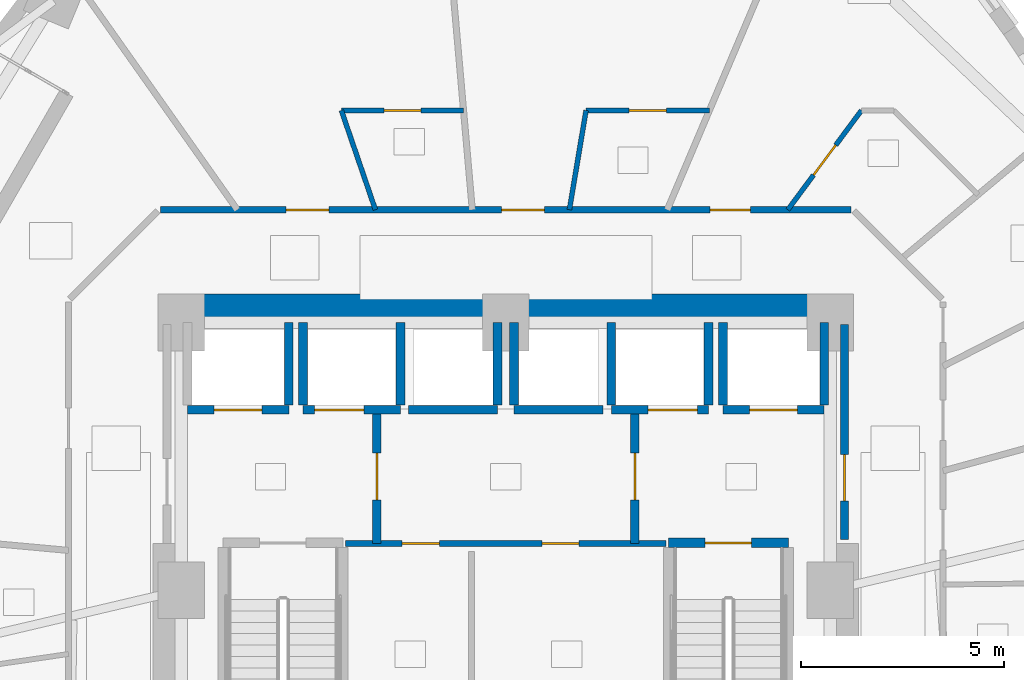
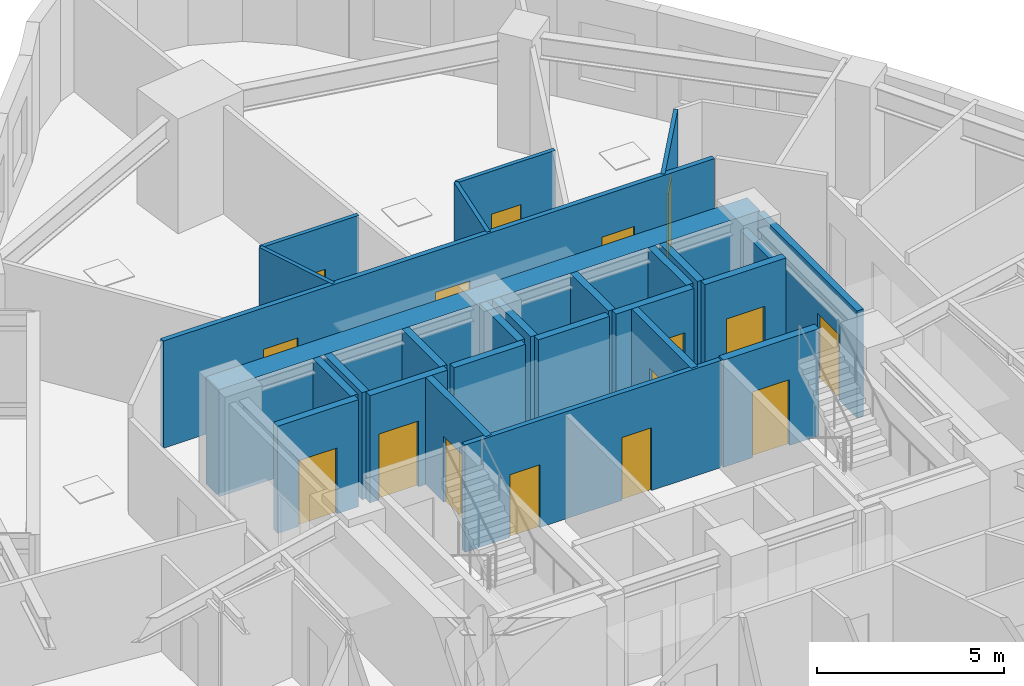
# One storey, part 7 of 12: 27 walls, 16 doors, 16 openings.
"""IFC4 building model written with IfcOpenShell, lengths in metres."""

from ifc_helpers import new_model, si_unit, direction, frame, frame_2d, origin, place, context, subcontext, project, spatial, rectangle, extrude, material, layer, layer_set, type_object, element, fill, save


model = new_model("IFC4")

# Units and contexts
model_context = context("Model", 3, precision=1e-05, world=origin(), true_north=direction((0.0, 1.0)))
body_context = subcontext(model_context, "Body", "Model", "MODEL_VIEW")
ifc_project = project(units=[si_unit("LENGTHUNIT", "METRE"), si_unit("AREAUNIT", "SQUARE_METRE"), si_unit("VOLUMEUNIT", "CUBIC_METRE"), si_unit("PLANEANGLEUNIT", "RADIAN"), si_unit("MASSUNIT", "GRAM", prefix="KILO")], contexts=[model_context])

# Site, building, storey
site_placement = place(None, origin())
site = spatial("IfcSite", under=ifc_project, at=site_placement, CompositionType="ELEMENT")
building_placement = place(site_placement, origin())
building = spatial("IfcBuilding", under=site, at=building_placement, Name="Ndelora Gate Hotel", CompositionType="ELEMENT")
storey_placement = place(building_placement, frame((0.0, 0.0, 38.0)))
storey = spatial("IfcBuildingStorey", under=building, at=storey_placement, Name="L08", CompositionType="ELEMENT", Elevation=38.0)

# Wall
ifc_material_1 = material(Name="Concrete C60/75", Category="concrete")
ifc_layer_1 = layer(ifc_material_1, 0.699951171875)
ifc_layer_set_1 = layer_set([ifc_layer_1], Name="Concrete C60/75")
wall_type_1 = type_object("IfcWallType", Name="WL-CORE-700", PredefinedType="SHEAR", material=ifc_layer_set_1)
wall_1_placement = place(storey_placement, frame((-8.35009765625, 6.949951171875, 0.0), z_axis=(0.0, 0.0, 1.0), x_axis=(1.0, 0.0, 0.0)))
element("IfcWall", 1, at=wall_1_placement, inside=storey, type_object=wall_type_1, Name="L08 Core Shear Wall N", PredefinedType="SHEAR", context=body_context, shape_type="SweptSolid", body=[
    extrude(rectangle(XDim=16.7001953125, YDim=0.699951171875, at=frame_2d((8.35009765625, 0.0))), origin(), (0.0, 0.0, 1.0), 3.5),
])

# Wall, opening, door
ifc_material_2 = material(Name="Concrete C40/50", Category="concrete")
ifc_layer_2 = layer(ifc_material_2, 0.199951171875)
ifc_layer_set_2 = layer_set([ifc_layer_2], Name="Concrete C40/50")
wall_type_2 = type_object("IfcWallType", Name="WL-FIRE-200", PredefinedType="PARTITIONING", material=ifc_layer_set_2)
wall_2_placement = place(storey_placement, frame((-3.179931640625, 1.14990234375, 0.0), z_axis=(0.0, 0.0, 1.0), x_axis=(0.0, 1.0, 0.0)))
wall_2 = element("IfcWall", 2, at=wall_2_placement, inside=storey, type_object=wall_type_2, Name="L08 Interior Wall IW-2", PredefinedType="PARTITIONING", context=body_context, shape_type="SweptSolid", body=[
    extrude(rectangle(XDim=3.300048828125, YDim=0.199951171875, at=frame_2d((1.64990234375, 0.0))), origin(), (0.0, 0.0, 1.0), 3.5),
])
opening_1_placement = place(wall_2_placement, frame((1.080078125, 0.0, 0.0)))
opening_1 = element("IfcOpeningElement", 3, at=opening_1_placement, cuts=wall_2, Name="Opening FD1", PredefinedType="OPENING", context=body_context, shape_type="SweptSolid", body=[
    extrude(rectangle(XDim=1.14990234375, YDim=2.14990234375, at=frame_2d((0.574951171875, 1.074951171875))), frame((0.0, 0.10986328125, 0.0), z_axis=(0.0, -1.0, 0.0), x_axis=(1.0, 0.0, 0.0)), (0.0, 0.0, 1.0), 0.219970703125),
])
ifc_material_3 = material(Name="Fire-Rated Timber-Veneer Steel Core", Category="steel")
door_type_1 = type_object("IfcDoorType", Name="DR-FD60", OperationType="SINGLE_SWING_LEFT", PredefinedType="DOOR", material=ifc_material_3)
door_1_placement = place(opening_1_placement, origin())
door_1 = element("IfcDoor", 4, at=door_1_placement, inside=storey, type_object=door_type_1, Name="L08 Firefighting Lobby West Door", OperationType="SINGLE_SWING_RIGHT", OverallHeight=2.14990234375, OverallWidth=1.14990234375, PredefinedType="DOOR", context=body_context, shape_type="SweptSolid", body=[
    extrude(rectangle(XDim=1.14990234375, YDim=2.14990234375, at=frame_2d((0.574951171875, 1.074951171875))), frame((0.0, 0.02490234375, 0.0), z_axis=(0.0, -1.0, 0.0), x_axis=(1.0, 0.0, 0.0)), (0.0, 0.0, 1.0), 0.050048828125),
])
fill(opening_1, door_1)

wall_3_placement = place(storey_placement, frame((3.179931640625, 1.14990234375, 0.0), z_axis=(0.0, 0.0, 1.0), x_axis=(0.0, 1.0, 0.0)))
wall_3 = element("IfcWall", 5, at=wall_3_placement, inside=storey, type_object=wall_type_2, Name="L08 Interior Wall IW-2", PredefinedType="PARTITIONING", context=body_context, shape_type="SweptSolid", body=[
    extrude(rectangle(XDim=3.300048828125, YDim=0.199951171875, at=frame_2d((1.64990234375, 0.0))), origin(), (0.0, 0.0, 1.0), 3.5),
])
opening_2_placement = place(wall_3_placement, frame((1.080078125, 0.0, 0.0)))
opening_2 = element("IfcOpeningElement", 6, at=opening_2_placement, cuts=wall_3, Name="Opening FD1", PredefinedType="OPENING", context=body_context, shape_type="SweptSolid", body=[
    extrude(rectangle(XDim=1.14990234375, YDim=2.14990234375, at=frame_2d((0.574951171875, 1.074951171875))), frame((0.0, 0.10986328125, 0.0), z_axis=(0.0, -1.0, 0.0), x_axis=(1.0, 0.0, 0.0)), (0.0, 0.0, 1.0), 0.219970703125),
])
door_2_placement = place(opening_2_placement, origin())
door_2 = element("IfcDoor", 7, at=door_2_placement, inside=storey, type_object=door_type_1, Name="L08 Firefighting Lobby East Door", OperationType="SINGLE_SWING_LEFT", OverallHeight=2.14990234375, OverallWidth=1.14990234375, PredefinedType="DOOR", context=body_context, shape_type="SweptSolid", body=[
    extrude(rectangle(XDim=1.14990234375, YDim=2.14990234375, at=frame_2d((0.574951171875, 1.074951171875))), frame((0.0, 0.02490234375, 0.0), z_axis=(0.0, -1.0, 0.0), x_axis=(1.0, 0.0, 0.0)), (0.0, 0.0, 1.0), 0.050048828125),
])
fill(opening_2, door_2)

wall_4_placement = place(storey_placement, frame((8.35009765625, 1.25, 0.0), z_axis=(0.0, 0.0, 1.0), x_axis=(0.0, 1.0, 0.0)))
wall_4 = element("IfcWall", 8, at=wall_4_placement, inside=storey, type_object=wall_type_2, Name="L08 Interior Wall IW-2", PredefinedType="PARTITIONING", context=body_context, shape_type="SweptSolid", body=[
    extrude(rectangle(XDim=5.300048828125, YDim=0.199951171875, at=frame_2d((2.64990234375, 0.0))), origin(), (0.0, 0.0, 1.0), 3.5),
])
opening_3_placement = place(wall_4_placement, frame((0.949951171875, 0.0, 0.0)))
opening_3 = element("IfcOpeningElement", 9, at=opening_3_placement, cuts=wall_4, Name="Opening FD1", PredefinedType="OPENING", context=body_context, shape_type="SweptSolid", body=[
    extrude(rectangle(XDim=1.14990234375, YDim=2.14990234375, at=frame_2d((0.574951171875, 1.074951171875))), frame((0.0, 0.10986328125, 0.0), z_axis=(0.0, -1.0, 0.0), x_axis=(1.0, 0.0, 0.0)), (0.0, 0.0, 1.0), 0.219970703125),
])
door_3_placement = place(opening_3_placement, origin())
door_3 = element("IfcDoor", 10, at=door_3_placement, inside=storey, type_object=door_type_1, Name="L08 Firefighting Lobby East Corridor Door", OperationType="SINGLE_SWING_RIGHT", OverallHeight=2.14990234375, OverallWidth=1.14990234375, PredefinedType="DOOR", context=body_context, shape_type="SweptSolid", body=[
    extrude(rectangle(XDim=1.14990234375, YDim=2.14990234375, at=frame_2d((0.574951171875, 1.074951171875))), frame((0.0, 0.02490234375, 0.0), z_axis=(0.0, -1.0, 0.0), x_axis=(1.0, 0.0, 0.0)), (0.0, 0.0, 1.0), 0.050048828125),
])
fill(opening_3, door_3)

# Wall, openings, doors
ifc_material_4 = material(Name="Fire-Rated Gypsum Stud Partition", Category="gypsum")
ifc_layer_3 = layer(ifc_material_4, 0.14990234375)
ifc_layer_set_3 = layer_set([ifc_layer_3], Name="Fire-Rated Gypsum Stud Partition")
wall_type_3 = type_object("IfcWallType", Name="WL-PART-150", PredefinedType="PARTITIONING", material=ifc_layer_set_3)
wall_5_placement = place(storey_placement, frame((3.949951171875, 1.14990234375, 0.0), z_axis=(0.0, 0.0, 1.0), x_axis=(-1.0, 0.0, 0.0)))
wall_5 = element("IfcWall", 11, at=wall_5_placement, inside=storey, type_object=wall_type_3, Name="L08 Interior Wall IW-5", PredefinedType="PARTITIONING", context=body_context, shape_type="SweptSolid", body=[
    extrude(rectangle(XDim=7.89990234375, YDim=0.14990234375, at=frame_2d((3.949951171875, 0.0))), origin(), (0.0, 0.0, 1.0), 3.5),
])
opening_4_placement = place(wall_5_placement, frame((5.590087890625, 0.0, 0.0)))
opening_4 = element("IfcOpeningElement", 12, at=opening_4_placement, cuts=wall_5, Name="Opening D04", PredefinedType="OPENING", context=body_context, shape_type="SweptSolid", body=[
    extrude(rectangle(XDim=0.919921875, YDim=2.050048828125, at=frame_2d((0.4599609375, 1.02490234375))), frame((0.0, 0.0849609375, 0.0), z_axis=(0.0, -1.0, 0.0), x_axis=(1.0, 0.0, 0.0)), (0.0, 0.0, 1.0), 0.169921875),
])
opening_5_placement = place(wall_5_placement, frame((2.139892578125, 0.0, 0.0)))
opening_5 = element("IfcOpeningElement", 13, at=opening_5_placement, cuts=wall_5, Name="Opening D04", PredefinedType="OPENING", context=body_context, shape_type="SweptSolid", body=[
    extrude(rectangle(XDim=0.919921875, YDim=2.050048828125, at=frame_2d((0.4599609375, 1.02490234375))), frame((0.0, 0.0849609375, 0.0), z_axis=(0.0, -1.0, 0.0), x_axis=(1.0, 0.0, 0.0)), (0.0, 0.0, 1.0), 0.169921875),
])
ifc_material_5 = material(Name="Painted Steel Core Service Door", Category="steel")
door_type_2 = type_object("IfcDoorType", Name="DR-SER-920", OperationType="SINGLE_SWING_LEFT", PredefinedType="DOOR", material=ifc_material_5)
door_4_placement = place(opening_4_placement, origin())
door_4 = element("IfcDoor", 14, at=door_4_placement, inside=storey, type_object=door_type_2, Name="L08 Core Electrical Switchroom Door", OperationType="SINGLE_SWING_LEFT", OverallHeight=2.050048828125, OverallWidth=0.919921875, PredefinedType="DOOR", context=body_context, shape_type="SweptSolid", body=[
    extrude(rectangle(XDim=0.919921875, YDim=2.050048828125, at=frame_2d((0.4599609375, 1.02490234375))), frame((0.0, 0.02490234375, 0.0), z_axis=(0.0, -1.0, 0.0), x_axis=(1.0, 0.0, 0.0)), (0.0, 0.0, 1.0), 0.050048828125),
])
fill(opening_4, door_4)
door_5_placement = place(opening_5_placement, origin())
door_5 = element("IfcDoor", 15, at=door_5_placement, inside=storey, type_object=door_type_2, Name="L08 Central Linen Equipment Store Door", OperationType="SINGLE_SWING_RIGHT", OverallHeight=2.050048828125, OverallWidth=0.919921875, PredefinedType="DOOR", context=body_context, shape_type="SweptSolid", body=[
    extrude(rectangle(XDim=0.919921875, YDim=2.050048828125, at=frame_2d((0.4599609375, 1.02490234375))), frame((0.0, 0.02490234375, 0.0), z_axis=(0.0, -1.0, 0.0), x_axis=(1.0, 0.0, 0.0)), (0.0, 0.0, 1.0), 0.050048828125),
])
fill(opening_5, door_5)

wall_6_placement = place(storey_placement, frame((-8.510009765625, 9.3798828125, 0.0), z_axis=(0.0, 0.0, 1.0), x_axis=(1.0, 0.0, 0.0)))
wall_6 = element("IfcWall", 16, at=wall_6_placement, inside=storey, type_object=wall_type_3, Name="L08 Interior Wall IW-5", PredefinedType="PARTITIONING", context=body_context, shape_type="SweptSolid", body=[
    extrude(rectangle(XDim=17.02001953125, YDim=0.14990234375, at=frame_2d((8.510009765625, 0.0))), origin(), (0.0, 0.0, 1.0), 3.5),
])
opening_6_placement = place(wall_6_placement, frame((13.54541015625, 0.0, 0.0)))
opening_6 = element("IfcOpeningElement", 17, at=opening_6_placement, cuts=wall_6, Name="Opening D01", PredefinedType="OPENING", context=body_context, shape_type="SweptSolid", body=[
    extrude(rectangle(XDim=1.0, YDim=2.14990234375, at=frame_2d((0.5, 1.074951171875))), frame((0.0, 0.0849609375, 0.0), z_axis=(0.0, -1.0, 0.0), x_axis=(1.0, 0.0, 0.0)), (0.0, 0.0, 1.0), 0.169921875),
])
opening_7_placement = place(wall_6_placement, frame((3.094970703125, 0.0, 0.0)))
opening_7 = element("IfcOpeningElement", 18, at=opening_7_placement, cuts=wall_6, Name="Opening D07", PredefinedType="OPENING", context=body_context, shape_type="SweptSolid", body=[
    extrude(rectangle(XDim=1.06005859375, YDim=2.14990234375, at=frame_2d((0.530029296875, 1.074951171875))), frame((0.0, 0.0849609375, 0.0), z_axis=(0.0, -1.0, 0.0), x_axis=(1.0, 0.0, 0.0)), (0.0, 0.0, 1.0), 0.169921875),
])
opening_8_placement = place(wall_6_placement, frame((8.40185546875, 0.0, 0.0)))
opening_8 = element("IfcOpeningElement", 19, at=opening_8_placement, cuts=wall_6, Name="Opening D07", PredefinedType="OPENING", context=body_context, shape_type="SweptSolid", body=[
    extrude(rectangle(XDim=1.06005859375, YDim=2.14990234375, at=frame_2d((0.530029296875, 1.074951171875))), frame((0.0, 0.0849609375, 0.0), z_axis=(0.0, -1.0, 0.0), x_axis=(1.0, 0.0, 0.0)), (0.0, 0.0, 1.0), 0.169921875),
])
ifc_material_6 = material(Name="Acoustic Hardwood Guest Entrance Door", Category="wood")
door_type_3 = type_object("IfcDoorType", Name="DR-COR-1000", OperationType="SINGLE_SWING_LEFT", PredefinedType="DOOR", material=ifc_material_6)
door_6_placement = place(opening_6_placement, origin())
door_6 = element("IfcDoor", 20, at=door_6_placement, inside=storey, type_object=door_type_3, Name="L08 Deluxe King Guest Room 1101 Entrance Door", OperationType="SINGLE_SWING_RIGHT", OverallHeight=2.14990234375, OverallWidth=1.0, PredefinedType="DOOR", context=body_context, shape_type="SweptSolid", body=[
    extrude(rectangle(XDim=1.0, YDim=2.14990234375, at=frame_2d((0.5, 1.074951171875))), frame((0.0, 0.02490234375, 0.0), z_axis=(0.0, -1.0, 0.0), x_axis=(1.0, 0.0, 0.0)), (0.0, 0.0, 1.0), 0.050048828125),
])
fill(opening_6, door_6)
ifc_material_7 = material(Name="Diplomatic Suite Acoustic Entrance Door", Category="wood")
door_type_4 = type_object("IfcDoorType", Name="DR-SUITE-1060", OperationType="SINGLE_SWING_LEFT", PredefinedType="DOOR", material=ifc_material_7)
door_7_placement = place(opening_7_placement, origin())
door_7 = element("IfcDoor", 21, at=door_7_placement, inside=storey, type_object=door_type_4, Name="L08 Corner Junior Suite 1103 Entrance Door", OperationType="SINGLE_SWING_LEFT", OverallHeight=2.14990234375, OverallWidth=1.06005859375, PredefinedType="DOOR", context=body_context, shape_type="SweptSolid", body=[
    extrude(rectangle(XDim=1.06005859375, YDim=2.14990234375, at=frame_2d((0.530029296875, 1.074951171875))), frame((0.0, 0.02490234375, 0.0), z_axis=(0.0, -1.0, 0.0), x_axis=(1.0, 0.0, 0.0)), (0.0, 0.0, 1.0), 0.050048828125),
])
fill(opening_7, door_7)
door_8_placement = place(opening_8_placement, origin())
door_8 = element("IfcDoor", 22, at=door_8_placement, inside=storey, type_object=door_type_4, Name="L08 Twin Junior Suite 1102 Entrance Door", OperationType="SINGLE_SWING_RIGHT", OverallHeight=2.14990234375, OverallWidth=1.06005859375, PredefinedType="DOOR", context=body_context, shape_type="SweptSolid", body=[
    extrude(rectangle(XDim=1.06005859375, YDim=2.14990234375, at=frame_2d((0.530029296875, 1.074951171875))), frame((0.0, 0.02490234375, 0.0), z_axis=(0.0, -1.0, 0.0), x_axis=(1.0, 0.0, 0.0)), (0.0, 0.0, 1.0), 0.050048828125),
])
fill(opening_8, door_8)

# Wall, opening, door
ifc_layer_4 = layer(ifc_material_2, 0.219970703125)
ifc_layer_set_4 = layer_set([ifc_layer_4], Name="Concrete C40/50")
wall_type_4 = type_object("IfcWallType", Name="WL-SHAFT-220", PredefinedType="PARTITIONING", material=ifc_layer_set_4)
wall_7_placement = place(storey_placement, frame((-7.85009765625, 4.449951171875, 0.0), z_axis=(0.0, 0.0, 1.0), x_axis=(1.0, 0.0, 0.0)))
wall_7 = element("IfcWall", 23, at=wall_7_placement, inside=storey, type_object=wall_type_4, Name="L08 Interior Wall IW-1", PredefinedType="PARTITIONING", context=body_context, shape_type="SweptSolid", body=[
    extrude(rectangle(XDim=2.5, YDim=0.219970703125, at=frame_2d((1.25, 0.0))), origin(), (0.0, 0.0, 1.0), 3.5),
])
opening_9_placement = place(wall_7_placement, frame((0.659912109375, 0.0, 0.0)))
opening_9 = element("IfcOpeningElement", 24, at=opening_9_placement, cuts=wall_7, Name="Opening LD5", PredefinedType="OPENING", context=body_context, shape_type="SweptSolid", body=[
    extrude(rectangle(XDim=1.179931640625, YDim=2.14990234375, at=frame_2d((0.58984375, 1.074951171875))), frame((0.0, 0.1201171875, 0.0), z_axis=(0.0, -1.0, 0.0), x_axis=(1.0, 0.0, 0.0)), (0.0, 0.0, 1.0), 0.239990234375),
])
ifc_material_8 = material(Name="Firefighting Lift Stainless Sliding Landing Door", Category="metal")
door_type_5 = type_object("IfcDoorType", Name="DR-LD5", OperationType="DOUBLE_DOOR_SLIDING", PredefinedType="DOOR", material=ifc_material_8)
door_9_placement = place(opening_9_placement, origin())
door_9 = element("IfcDoor", 25, at=door_9_placement, inside=storey, type_object=door_type_5, Name="L08 Lift Landing Sliding Door FFL1", OperationType="DOUBLE_DOOR_SLIDING", OverallHeight=2.14990234375, OverallWidth=1.179931640625, PredefinedType="DOOR", context=body_context, shape_type="SweptSolid", body=[
    extrude(rectangle(XDim=1.179931640625, YDim=2.14990234375, at=frame_2d((0.58984375, 1.074951171875))), frame((0.0, 0.02490234375, 0.0), z_axis=(0.0, -1.0, 0.0), x_axis=(1.0, 0.0, 0.0)), (0.0, 0.0, 1.0), 0.050048828125),
])
fill(opening_9, door_9)

# Wall
wall_8_placement = place(storey_placement, frame((-5.35009765625, 4.570068359375, 0.0), z_axis=(0.0, 0.0, 1.0), x_axis=(0.0, 1.0, 0.0)))
element("IfcWall", 26, at=wall_8_placement, inside=storey, type_object=wall_type_4, Name="L08 Interior Wall IW-1", PredefinedType="PARTITIONING", context=body_context, shape_type="SweptSolid", body=[
    extrude(rectangle(XDim=2.030029296875, YDim=0.219970703125, at=frame_2d((1.01513671875, 0.0))), origin(), (0.0, 0.0, 1.0), 3.5),
])

# Wall, opening, door
wall_9_placement = place(storey_placement, frame((5.35009765625, 4.449951171875, 0.0), z_axis=(0.0, 0.0, 1.0), x_axis=(1.0, 0.0, 0.0)))
wall_9 = element("IfcWall", 27, at=wall_9_placement, inside=storey, type_object=wall_type_4, Name="L08 Interior Wall IW-1", PredefinedType="PARTITIONING", context=body_context, shape_type="SweptSolid", body=[
    extrude(rectangle(XDim=2.5, YDim=0.219970703125, at=frame_2d((1.25, 0.0))), origin(), (0.0, 0.0, 1.0), 3.5),
])
opening_10_placement = place(wall_9_placement, frame((0.659912109375, 0.0, 0.0)))
opening_10 = element("IfcOpeningElement", 28, at=opening_10_placement, cuts=wall_9, Name="Opening LD5", PredefinedType="OPENING", context=body_context, shape_type="SweptSolid", body=[
    extrude(rectangle(XDim=1.179931640625, YDim=2.14990234375, at=frame_2d((0.58984375, 1.074951171875))), frame((0.0, 0.1201171875, 0.0), z_axis=(0.0, -1.0, 0.0), x_axis=(1.0, 0.0, 0.0)), (0.0, 0.0, 1.0), 0.239990234375),
])
door_10_placement = place(opening_10_placement, origin())
door_10 = element("IfcDoor", 29, at=door_10_placement, inside=storey, type_object=door_type_5, Name="L08 Lift Landing Sliding Door FFL2", OperationType="DOUBLE_DOOR_SLIDING", OverallHeight=2.14990234375, OverallWidth=1.179931640625, PredefinedType="DOOR", context=body_context, shape_type="SweptSolid", body=[
    extrude(rectangle(XDim=1.179931640625, YDim=2.14990234375, at=frame_2d((0.58984375, 1.074951171875))), frame((0.0, 0.02490234375, 0.0), z_axis=(0.0, -1.0, 0.0), x_axis=(1.0, 0.0, 0.0)), (0.0, 0.0, 1.0), 0.050048828125),
])
fill(opening_10, door_10)

# Walls
wall_10_placement = place(storey_placement, frame((5.35009765625, 4.570068359375, 0.0), z_axis=(0.0, 0.0, 1.0), x_axis=(0.0, 1.0, 0.0)))
element("IfcWall", 30, at=wall_10_placement, inside=storey, type_object=wall_type_4, Name="L08 Interior Wall IW-1", PredefinedType="PARTITIONING", context=body_context, shape_type="SweptSolid", body=[
    extrude(rectangle(XDim=2.030029296875, YDim=0.219970703125, at=frame_2d((1.01513671875, 0.0))), origin(), (0.0, 0.0, 1.0), 3.5),
])
wall_11_placement = place(storey_placement, frame((7.85009765625, 4.570068359375, 0.0), z_axis=(0.0, 0.0, 1.0), x_axis=(0.0, 1.0, 0.0)))
element("IfcWall", 31, at=wall_11_placement, inside=storey, type_object=wall_type_4, Name="L08 Interior Wall IW-1", PredefinedType="PARTITIONING", context=body_context, shape_type="SweptSolid", body=[
    extrude(rectangle(XDim=2.030029296875, YDim=0.219970703125, at=frame_2d((1.01513671875, 0.0))), origin(), (0.0, 0.0, 1.0), 3.080078125),
])

# Wall, opening, door
wall_12_placement = place(storey_placement, frame((-5.0, 4.449951171875, 0.0), z_axis=(0.0, 0.0, 1.0), x_axis=(1.0, 0.0, 0.0)))
wall_12 = element("IfcWall", 32, at=wall_12_placement, inside=storey, type_object=wall_type_4, Name="L08 Interior Wall IW-1", PredefinedType="PARTITIONING", context=body_context, shape_type="SweptSolid", body=[
    extrude(rectangle(XDim=2.39990234375, YDim=0.219970703125, at=frame_2d((1.199951171875, 0.0))), origin(), (0.0, 0.0, 1.0), 3.5),
])
opening_11_placement = place(wall_12_placement, frame((0.280029296875, 0.0, 0.0)))
opening_11 = element("IfcOpeningElement", 33, at=opening_11_placement, cuts=wall_12, Name="Opening LD6", PredefinedType="OPENING", context=body_context, shape_type="SweptSolid", body=[
    extrude(rectangle(XDim=1.219970703125, YDim=2.14990234375, at=frame_2d((0.60986328125, 1.074951171875))), frame((0.0, 0.1201171875, 0.0), z_axis=(0.0, -1.0, 0.0), x_axis=(1.0, 0.0, 0.0)), (0.0, 0.0, 1.0), 0.239990234375),
])
ifc_material_9 = material(Name="Heavy-Duty Service Lift Sliding Landing Door", Category="wood")
door_type_6 = type_object("IfcDoorType", Name="DR-LD6", OperationType="DOUBLE_DOOR_SLIDING", PredefinedType="DOOR", material=ifc_material_9)
door_11_placement = place(opening_11_placement, origin())
door_11 = element("IfcDoor", 34, at=door_11_placement, inside=storey, type_object=door_type_6, Name="L08 Lift Landing Sliding Door SVL1", OperationType="DOUBLE_DOOR_SLIDING", OverallHeight=2.14990234375, OverallWidth=1.219970703125, PredefinedType="DOOR", context=body_context, shape_type="SweptSolid", body=[
    extrude(rectangle(XDim=1.219970703125, YDim=2.14990234375, at=frame_2d((0.60986328125, 1.074951171875))), frame((0.0, 0.02490234375, 0.0), z_axis=(0.0, -1.0, 0.0), x_axis=(1.0, 0.0, 0.0)), (0.0, 0.0, 1.0), 0.050048828125),
])
fill(opening_11, door_11)

# Walls
for number, where, z_axis, x_axis, name in (
    (35, (-5.0, 4.570068359375, 0.0), (0.0, 0.0, 1.0), (0.0, 1.0, 0.0), "L08 Interior Wall IW-1"),
    (36, (-2.60009765625, 4.570068359375, 0.0), (0.0, 0.0, 1.0), (0.0, 1.0, 0.0), "L08 Interior Wall IW-1"),
):
    element("IfcWall", number, at=place(storey_placement, frame(where, z_axis=z_axis, x_axis=x_axis)), inside=storey, type_object=wall_type_4, Name=name, PredefinedType="PARTITIONING", context=body_context, shape_type="SweptSolid", body=[
        extrude(rectangle(XDim=2.030029296875, YDim=0.219970703125, at=frame_2d((1.01513671875, 0.0))), origin(), (0.0, 0.0, 1.0), 3.5),
    ])

# Wall, opening, door
wall_13_placement = place(storey_placement, frame((2.60009765625, 4.449951171875, 0.0), z_axis=(0.0, 0.0, 1.0), x_axis=(1.0, 0.0, 0.0)))
wall_13 = element("IfcWall", 37, at=wall_13_placement, inside=storey, type_object=wall_type_4, Name="L08 Interior Wall IW-1", PredefinedType="PARTITIONING", context=body_context, shape_type="SweptSolid", body=[
    extrude(rectangle(XDim=2.39990234375, YDim=0.219970703125, at=frame_2d((1.199951171875, 0.0))), origin(), (0.0, 0.0, 1.0), 3.5),
])
opening_12_placement = place(wall_13_placement, frame((0.89990234375, 0.0, 0.0)))
opening_12 = element("IfcOpeningElement", 38, at=opening_12_placement, cuts=wall_13, Name="Opening LD6", PredefinedType="OPENING", context=body_context, shape_type="SweptSolid", body=[
    extrude(rectangle(XDim=1.219970703125, YDim=2.14990234375, at=frame_2d((0.60986328125, 1.074951171875))), frame((0.0, 0.1201171875, 0.0), z_axis=(0.0, -1.0, 0.0), x_axis=(1.0, 0.0, 0.0)), (0.0, 0.0, 1.0), 0.239990234375),
])
door_12_placement = place(opening_12_placement, origin())
door_12 = element("IfcDoor", 39, at=door_12_placement, inside=storey, type_object=door_type_6, Name="L08 Lift Landing Sliding Door SVL2", OperationType="DOUBLE_DOOR_SLIDING", OverallHeight=2.14990234375, OverallWidth=1.219970703125, PredefinedType="DOOR", context=body_context, shape_type="SweptSolid", body=[
    extrude(rectangle(XDim=1.219970703125, YDim=2.14990234375, at=frame_2d((0.60986328125, 1.074951171875))), frame((0.0, 0.02490234375, 0.0), z_axis=(0.0, -1.0, 0.0), x_axis=(1.0, 0.0, 0.0)), (0.0, 0.0, 1.0), 0.050048828125),
])
fill(opening_12, door_12)

# Walls
for number, where, z_axis, x_axis, name in (
    (40, (2.60009765625, 4.570068359375, 0.0), (0.0, 0.0, 1.0), (0.0, 1.0, 0.0), "L08 Interior Wall IW-1"),
    (41, (5.0, 4.570068359375, 0.0), (0.0, 0.0, 1.0), (0.0, 1.0, 0.0), "L08 Interior Wall IW-1"),
):
    element("IfcWall", number, at=place(storey_placement, frame(where, z_axis=z_axis, x_axis=x_axis)), inside=storey, type_object=wall_type_4, Name=name, PredefinedType="PARTITIONING", context=body_context, shape_type="SweptSolid", body=[
        extrude(rectangle(XDim=2.030029296875, YDim=0.219970703125, at=frame_2d((1.01513671875, 0.0))), origin(), (0.0, 0.0, 1.0), 3.5),
    ])
wall_14_placement = place(storey_placement, frame((-2.39990234375, 4.449951171875, 0.0), z_axis=(0.0, 0.0, 1.0), x_axis=(1.0, 0.0, 0.0)))
element("IfcWall", 42, at=wall_14_placement, inside=storey, type_object=wall_type_4, Name="L08 Interior Wall IW-1", PredefinedType="PARTITIONING", context=body_context, shape_type="SweptSolid", body=[
    extrude(rectangle(XDim=2.199951171875, YDim=0.219970703125, at=frame_2d((1.10009765625, 0.0))), origin(), (0.0, 0.0, 1.0), 3.5),
])
wall_15_placement = place(storey_placement, frame((-0.199951171875, 4.570068359375, 0.0), z_axis=(0.0, 0.0, 1.0), x_axis=(0.0, 1.0, 0.0)))
element("IfcWall", 43, at=wall_15_placement, inside=storey, type_object=wall_type_4, Name="L08 Interior Wall IW-1", PredefinedType="PARTITIONING", context=body_context, shape_type="SweptSolid", body=[
    extrude(rectangle(XDim=2.030029296875, YDim=0.219970703125, at=frame_2d((1.01513671875, 0.0))), origin(), (0.0, 0.0, 1.0), 3.5),
])
wall_16_placement = place(storey_placement, frame((0.199951171875, 4.449951171875, 0.0), z_axis=(0.0, 0.0, 1.0), x_axis=(1.0, 0.0, 0.0)))
element("IfcWall", 44, at=wall_16_placement, inside=storey, type_object=wall_type_4, Name="L08 Interior Wall IW-1", PredefinedType="PARTITIONING", context=body_context, shape_type="SweptSolid", body=[
    extrude(rectangle(XDim=2.199951171875, YDim=0.219970703125, at=frame_2d((1.10009765625, 0.0))), origin(), (0.0, 0.0, 1.0), 3.5),
])
wall_17_placement = place(storey_placement, frame((0.199951171875, 4.570068359375, 0.0), z_axis=(0.0, 0.0, 1.0), x_axis=(0.0, 1.0, 0.0)))
element("IfcWall", 45, at=wall_17_placement, inside=storey, type_object=wall_type_4, Name="L08 Interior Wall IW-1", PredefinedType="PARTITIONING", context=body_context, shape_type="SweptSolid", body=[
    extrude(rectangle(XDim=2.030029296875, YDim=0.219970703125, at=frame_2d((1.01513671875, 0.0))), origin(), (0.0, 0.0, 1.0), 3.5),
])

# Wall, opening, door
ifc_material_10 = material(Name="Concrete C50/60", Category="concrete")
ifc_layer_5 = layer(ifc_material_10, 0.239990234375)
ifc_layer_set_5 = layer_set([ifc_layer_5], Name="Concrete C50/60")
wall_type_5 = type_object("IfcWallType", Name="WL-STAIR-240", PredefinedType="SHEAR", material=ifc_layer_set_5)
wall_18_placement = place(storey_placement, frame((4.010009765625, 1.169921875, 0.0), z_axis=(0.0, 0.0, 1.0), x_axis=(1.0, 0.0, 0.0)))
wall_18 = element("IfcWall", 46, at=wall_18_placement, inside=storey, type_object=wall_type_5, Name="L08 Stair Core Shear Wall SW-ST", PredefinedType="SHEAR", context=body_context, shape_type="SweptSolid", body=[
    extrude(rectangle(XDim=2.9599609375, YDim=0.239990234375, at=frame_2d((1.47998046875, 0.0))), origin(), (0.0, 0.0, 1.0), 3.5),
])
opening_13_placement = place(wall_18_placement, frame((0.89990234375, 0.0, 0.0)))
opening_13 = element("IfcOpeningElement", 47, at=opening_13_placement, cuts=wall_18, Name="Opening FD1", PredefinedType="OPENING", context=body_context, shape_type="SweptSolid", body=[
    extrude(rectangle(XDim=1.14990234375, YDim=2.14990234375, at=frame_2d((0.574951171875, 1.074951171875))), frame((0.0, 0.1298828125, 0.0), z_axis=(0.0, -1.0, 0.0), x_axis=(1.0, 0.0, 0.0)), (0.0, 0.0, 1.0), 0.260009765625),
])
door_13_placement = place(opening_13_placement, origin())
door_13 = element("IfcDoor", 48, at=door_13_placement, inside=storey, type_object=door_type_1, Name="L08 Exit Stair ST5 Door", OperationType="SINGLE_SWING_RIGHT", OverallHeight=2.14990234375, OverallWidth=1.14990234375, PredefinedType="DOOR", context=body_context, shape_type="SweptSolid", body=[
    extrude(rectangle(XDim=1.14990234375, YDim=2.14990234375, at=frame_2d((0.574951171875, 1.074951171875))), frame((0.0, 0.02490234375, 0.0), z_axis=(0.0, -1.0, 0.0), x_axis=(1.0, 0.0, 0.0)), (0.0, 0.0, 1.0), 0.050048828125),
])
fill(opening_13, door_13)

ifc_material_11 = material(Name="Moisture-Resistant Bathroom Tile Partition", Category="gypsum")
ifc_layer_6 = layer(ifc_material_11, 0.1201171875)
ifc_layer_set_6 = layer_set([ifc_layer_6], Name="Moisture-Resistant Bathroom Tile Partition")
wall_type_6 = type_object("IfcWallType", Name="WL-WET-120", PredefinedType="PARTITIONING", material=ifc_layer_set_6)
wall_19_placement = place(storey_placement, frame((6.952392578125, 9.3798828125, 0.0), z_axis=(0.0, 0.0, 1.0), x_axis=(0.595378789074, 0.80344514282, 0.0)))
wall_19 = element("IfcWall", 49, at=wall_19_placement, inside=storey, type_object=wall_type_6, Name="L08 Interior Wall IW-7", PredefinedType="PARTITIONING", context=body_context, shape_type="SweptSolid", body=[
    extrude(rectangle(XDim=3.049560546875, YDim=0.1201171875, at=frame_2d((1.52490234375, 0.0))), origin(), (0.0, 0.0, 1.0), 3.5),
])
opening_14_placement = place(wall_19_placement, frame((1.064697265625, 0.0, 0.0)))
opening_14 = element("IfcOpeningElement", 50, at=opening_14_placement, cuts=wall_19, Name="Opening D03", PredefinedType="OPENING", context=body_context, shape_type="SweptSolid", body=[
    extrude(rectangle(XDim=0.919921875, YDim=2.10009765625, at=frame_2d((0.4599609375, 1.050048828125))), frame((0.0, 0.070068359375, 0.0), z_axis=(0.0, -1.0, 0.0), x_axis=(1.0, 0.0, 0.0)), (0.0, 0.0, 1.0), 0.14013671875),
])
ifc_material_12 = material(Name="Moisture-Resistant Hardwood En-Suite Door", Category="wood")
door_type_7 = type_object("IfcDoorType", Name="DR-BATH-920", OperationType="SINGLE_SWING_LEFT", PredefinedType="DOOR", material=ifc_material_12)
door_14_placement = place(opening_14_placement, origin())
door_14 = element("IfcDoor", 51, at=door_14_placement, inside=storey, type_object=door_type_7, Name="L08 En-suite Bathroom 1101 Door", OperationType="SINGLE_SWING_RIGHT", OverallHeight=2.10009765625, OverallWidth=0.919921875, PredefinedType="DOOR", context=body_context, shape_type="SweptSolid", body=[
    extrude(rectangle(XDim=0.919921875, YDim=2.10009765625, at=frame_2d((0.4599609375, 1.050048828125))), frame((0.0, 0.02490234375, 0.0), z_axis=(0.0, -1.0, 0.0), x_axis=(1.0, 0.0, 0.0)), (0.0, 0.0, 1.0), 0.050048828125),
])
fill(opening_14, door_14)

# Wall
wall_20_placement = place(storey_placement, frame((1.568603515625, 9.3798828125, 0.0), z_axis=(0.0, 0.0, 1.0), x_axis=(0.165004545821, 0.98629280635, 0.0)))
element("IfcWall", 52, at=wall_20_placement, inside=storey, type_object=wall_type_6, Name="L08 Interior Wall IW-7", PredefinedType="PARTITIONING", context=body_context, shape_type="SweptSolid", body=[
    extrude(rectangle(XDim=2.484130859375, YDim=0.1201171875, at=frame_2d((1.2421875, 0.0))), origin(), (0.0, 0.0, 1.0), 3.5),
])

# Wall, opening, door
wall_21_placement = place(storey_placement, frame((1.978515625, 11.830078125, 0.0), z_axis=(0.0, 0.0, 1.0), x_axis=(1.0, 0.0, 0.0)))
wall_21 = element("IfcWall", 53, at=wall_21_placement, inside=storey, type_object=wall_type_6, Name="L08 Interior Wall IW-7", PredefinedType="PARTITIONING", context=body_context, shape_type="SweptSolid", body=[
    extrude(rectangle(XDim=3.04150390625, YDim=0.1201171875, at=frame_2d((1.520751953125, 0.0))), origin(), (0.0, 0.0, 1.0), 3.5),
])
opening_15_placement = place(wall_21_placement, frame((1.060791015625, 0.0, 0.0)))
opening_15 = element("IfcOpeningElement", 54, at=opening_15_placement, cuts=wall_21, Name="Opening D03", PredefinedType="OPENING", context=body_context, shape_type="SweptSolid", body=[
    extrude(rectangle(XDim=0.919921875, YDim=2.10009765625, at=frame_2d((0.4599609375, 1.050048828125))), frame((0.0, 0.070068359375, 0.0), z_axis=(0.0, -1.0, 0.0), x_axis=(1.0, 0.0, 0.0)), (0.0, 0.0, 1.0), 0.14013671875),
])
door_15_placement = place(opening_15_placement, origin())
door_15 = element("IfcDoor", 55, at=door_15_placement, inside=storey, type_object=door_type_7, Name="L08 En-suite Bathroom 1102 Door", OperationType="SINGLE_SWING_LEFT", OverallHeight=2.10009765625, OverallWidth=0.919921875, PredefinedType="DOOR", context=body_context, shape_type="SweptSolid", body=[
    extrude(rectangle(XDim=0.919921875, YDim=2.10009765625, at=frame_2d((0.4599609375, 1.050048828125))), frame((0.0, 0.02490234375, 0.0), z_axis=(0.0, -1.0, 0.0), x_axis=(1.0, 0.0, 0.0)), (0.0, 0.0, 1.0), 0.050048828125),
])
fill(opening_15, door_15)

# Wall
wall_22_placement = place(storey_placement, frame((-4.05322265625, 11.830078125, 0.0), z_axis=(0.0, 0.0, 1.0), x_axis=(0.324078497959, -0.946030193578, 0.0)))
element("IfcWall", 56, at=wall_22_placement, inside=storey, type_object=wall_type_6, Name="L08 Interior Wall IW-7", PredefinedType="PARTITIONING", context=body_context, shape_type="SweptSolid", body=[
    extrude(rectangle(XDim=2.590087890625, YDim=0.1201171875, at=frame_2d((1.294921875, 0.0))), origin(), (0.0, 0.0, 1.0), 3.5),
])

# Wall, opening, door
wall_23_placement = place(storey_placement, frame((-4.05322265625, 11.830078125, 0.0), z_axis=(0.0, 0.0, 1.0), x_axis=(1.0, 0.0, 0.0)))
wall_23 = element("IfcWall", 57, at=wall_23_placement, inside=storey, type_object=wall_type_6, Name="L08 Interior Wall IW-7", PredefinedType="PARTITIONING", context=body_context, shape_type="SweptSolid", body=[
    extrude(rectangle(XDim=3.011962890625, YDim=0.1201171875, at=frame_2d((1.505859375, 0.0))), origin(), (0.0, 0.0, 1.0), 3.5),
])
opening_16_placement = place(wall_23_placement, frame((1.0458984375, 0.0, 0.0)))
opening_16 = element("IfcOpeningElement", 58, at=opening_16_placement, cuts=wall_23, Name="Opening D03", PredefinedType="OPENING", context=body_context, shape_type="SweptSolid", body=[
    extrude(rectangle(XDim=0.919921875, YDim=2.10009765625, at=frame_2d((0.4599609375, 1.050048828125))), frame((0.0, 0.070068359375, 0.0), z_axis=(0.0, -1.0, 0.0), x_axis=(1.0, 0.0, 0.0)), (0.0, 0.0, 1.0), 0.14013671875),
])
door_16_placement = place(opening_16_placement, origin())
door_16 = element("IfcDoor", 59, at=door_16_placement, inside=storey, type_object=door_type_7, Name="L08 En-suite Bathroom 1103 Door", OperationType="SINGLE_SWING_RIGHT", OverallHeight=2.10009765625, OverallWidth=0.919921875, PredefinedType="DOOR", context=body_context, shape_type="SweptSolid", body=[
    extrude(rectangle(XDim=0.919921875, YDim=2.10009765625, at=frame_2d((0.4599609375, 1.050048828125))), frame((0.0, 0.02490234375, 0.0), z_axis=(0.0, -1.0, 0.0), x_axis=(1.0, 0.0, 0.0)), (0.0, 0.0, 1.0), 0.050048828125),
])
fill(opening_16, door_16)

save(model, "model.ifc")
